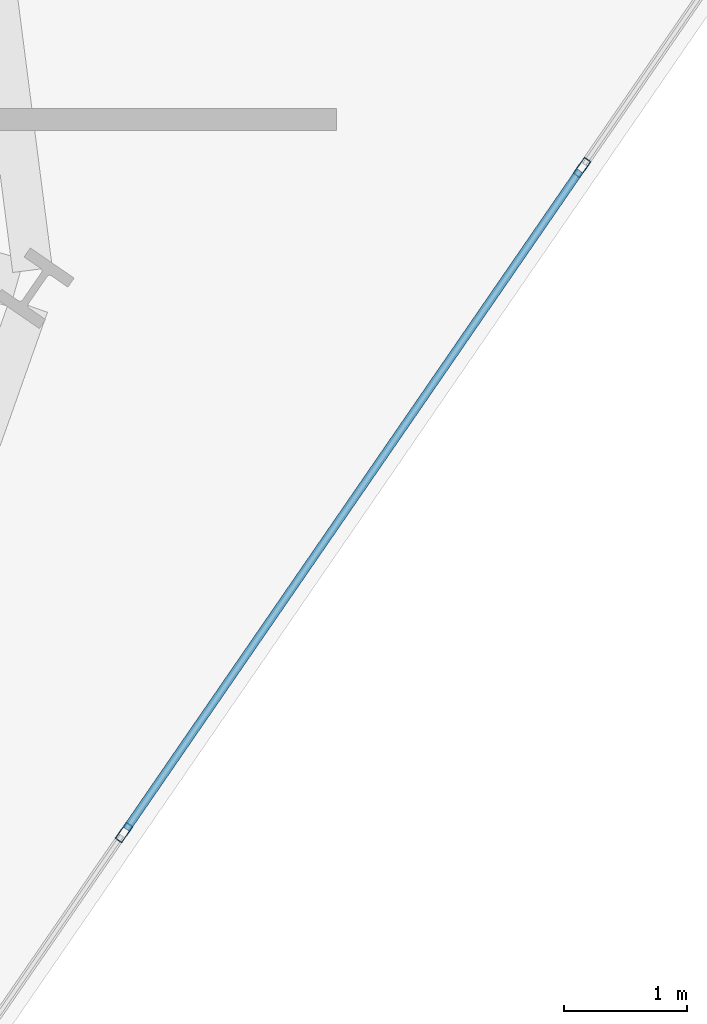
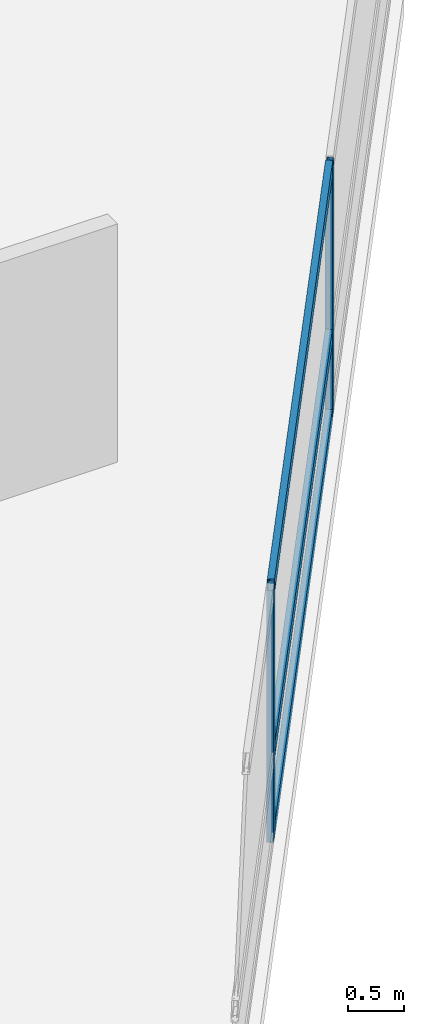
# One storey, part 9 of 24: 5 members, 1 element without a shape of its own.
"""IFC4 building model written with IfcOpenShell, lengths in metres."""

from ifc_helpers import new_model, si_unit, direction, frame, origin, origin_2d, place, context, subcontext, project, spatial, hollow_rectangle, extrude, material, layer, layer_set, material_profile, profile_set, type_object, element, aggregate, save


model = new_model("IFC4")

# Units and contexts
model_context = context("Model", 3, precision=1e-05, world=origin(), true_north=direction((0.0, 1.0)))
body_context = subcontext(model_context, "Body", "Model", "MODEL_VIEW")
ifc_project = project(units=[si_unit("LENGTHUNIT", "METRE"), si_unit("AREAUNIT", "SQUARE_METRE"), si_unit("VOLUMEUNIT", "CUBIC_METRE"), si_unit("PLANEANGLEUNIT", "RADIAN"), si_unit("MASSUNIT", "GRAM", prefix="KILO")], contexts=[model_context])

# Site, building, storey
site_placement = place(None, origin())
site = spatial("IfcSite", under=ifc_project, at=site_placement, CompositionType="ELEMENT")
building_placement = place(site_placement, origin())
building = spatial("IfcBuilding", under=site, at=building_placement, Name="Varnelok Gate Tower", CompositionType="ELEMENT")
storey_placement = place(building_placement, frame((0.0, 0.0, 38.10009765625)))
storey = spatial("IfcBuildingStorey", under=building, at=storey_placement, Name="L08", CompositionType="ELEMENT", Elevation=38.10009765625)

# Curtain wall, members
ifc_material = material(Name="Anodized Aluminum Alloy 6063-T6", Category="aluminium")
ifc_layer = layer(ifc_material, 0.179931640625)
ifc_layer_set = layer_set([ifc_layer], Name="Anodized Aluminum Alloy 6063-T6")
curtain_wall_type = type_object("IfcCurtainWallType", Name="CW3-HOTEL-VISION", PredefinedType="USERDEFINED", material=ifc_layer_set)
curtain_wall_placement = place(storey_placement, origin())
curtain_wall = element("IfcCurtainWall", 1, at=curtain_wall_placement, inside=storey, type_object=curtain_wall_type, Name="L08 East End Vision Curtain Wall", ObjectType="UNITISED CURTAIN WALL", PredefinedType="USERDEFINED")
ifc_material_profile_1 = material_profile(ifc_material, hollow_rectangle(XDim=0.06494140625, YDim=0.159912109375, WallThickness=0.00390625, at=origin_2d()), Name="ALU160X65X4")
ifc_profile_set_1 = profile_set([ifc_material_profile_1], Name="Anodized Aluminum Alloy 6063-T6")
member_type_1 = type_object("IfcMemberType", Name="CW-MULL-160", PredefinedType="MULLION", material=ifc_profile_set_1)
member_1_placement = place(storey_placement, frame((78.8173828125, 13.958251953125, 0.0), z_axis=(0.0, 0.0, 1.0), x_axis=(0.823532685111, -0.567268822124, 0.0)))
member_1 = element("IfcMember", 2, at=member_1_placement, type_object=member_type_1, Name="CW3 mullion 2", PredefinedType="MULLION", context=body_context, shape_type="SweptSolid", body=[
    extrude(hollow_rectangle(XDim=0.06494140625, YDim=0.159912109375, WallThickness=0.00390625, at=origin_2d()), origin(), (0.0, 0.0, 1.0), 2.72998046875),
])
member_2_placement = place(storey_placement, frame((75.09228515625, 8.55029296875, 0.0), z_axis=(0.0, 0.0, 1.0), x_axis=(0.823532685111, -0.567268822124, 0.0)))
member_2 = element("IfcMember", 3, at=member_2_placement, type_object=member_type_1, Name="CW3 mullion 3", PredefinedType="MULLION", context=body_context, shape_type="SweptSolid", body=[
    extrude(hollow_rectangle(XDim=0.06494140625, YDim=0.159912109375, WallThickness=0.00390625, at=origin_2d()), origin(), (0.0, 0.0, 1.0), 2.72998046875),
])
ifc_material_profile_2 = material_profile(ifc_material, hollow_rectangle(XDim=0.06494140625, YDim=0.159912109375, WallThickness=0.00390625, at=origin_2d()), Name="ALU160X65X4")
ifc_profile_set_2 = profile_set([ifc_material_profile_2], Name="Anodized Aluminum Alloy 6063-T6")
member_type_2 = type_object("IfcMemberType", Name="CW-TRAN-160", PredefinedType="USERDEFINED", material=ifc_profile_set_2)
member_3_placement = place(storey_placement, frame((78.798828125, 13.931396484375, 0.032470703125), z_axis=(-0.567279204469, -0.823525533409, 0.0), x_axis=(0.823525533409, -0.567279204469, 0.0)))
member_3 = element("IfcMember", 4, at=member_3_placement, type_object=member_type_2, Name="CW3 transom 2.1", ObjectType="TRANSOM", PredefinedType="USERDEFINED", context=body_context, shape_type="SweptSolid", body=[
    extrude(hollow_rectangle(XDim=0.06494140625, YDim=0.159912109375, WallThickness=0.00390625, at=origin_2d()), origin(), (0.0, 0.0, 1.0), 6.501708984375),
])
member_4_placement = place(storey_placement, frame((78.798828125, 13.931396484375, 0.89990234375), z_axis=(-0.567279204469, -0.823525533409, 0.0), x_axis=(0.823525533409, -0.567279204469, 0.0)))
member_4 = element("IfcMember", 5, at=member_4_placement, type_object=member_type_2, Name="CW3 transom 2.2", ObjectType="TRANSOM", PredefinedType="USERDEFINED", context=body_context, shape_type="SweptSolid", body=[
    extrude(hollow_rectangle(XDim=0.06494140625, YDim=0.159912109375, WallThickness=0.00390625, at=origin_2d()), origin(), (0.0, 0.0, 1.0), 6.501708984375),
])
member_5_placement = place(storey_placement, frame((78.798828125, 13.931396484375, 2.697509765625), z_axis=(-0.567279204469, -0.823525533409, 0.0), x_axis=(0.823525533409, -0.567279204469, 0.0)))
member_5 = element("IfcMember", 6, at=member_5_placement, type_object=member_type_2, Name="CW3 transom 2.3", ObjectType="TRANSOM", PredefinedType="USERDEFINED", context=body_context, shape_type="SweptSolid", body=[
    extrude(hollow_rectangle(XDim=0.06494140625, YDim=0.159912109375, WallThickness=0.00390625, at=origin_2d()), origin(), (0.0, 0.0, 1.0), 6.501708984375),
])
aggregate(curtain_wall, [member_1, member_2, member_3, member_4, member_5])

save(model, "model.ifc")
